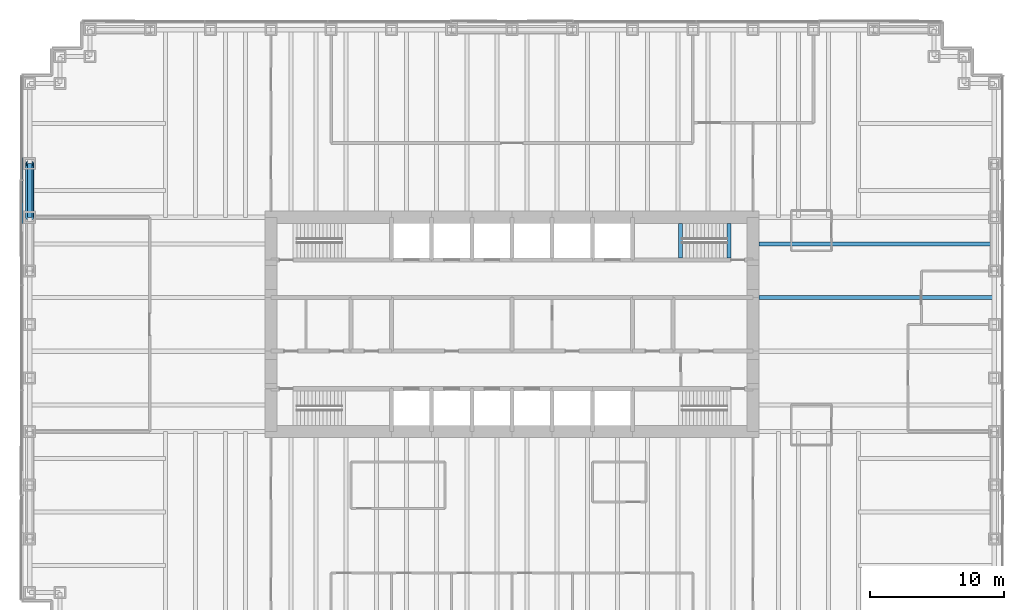
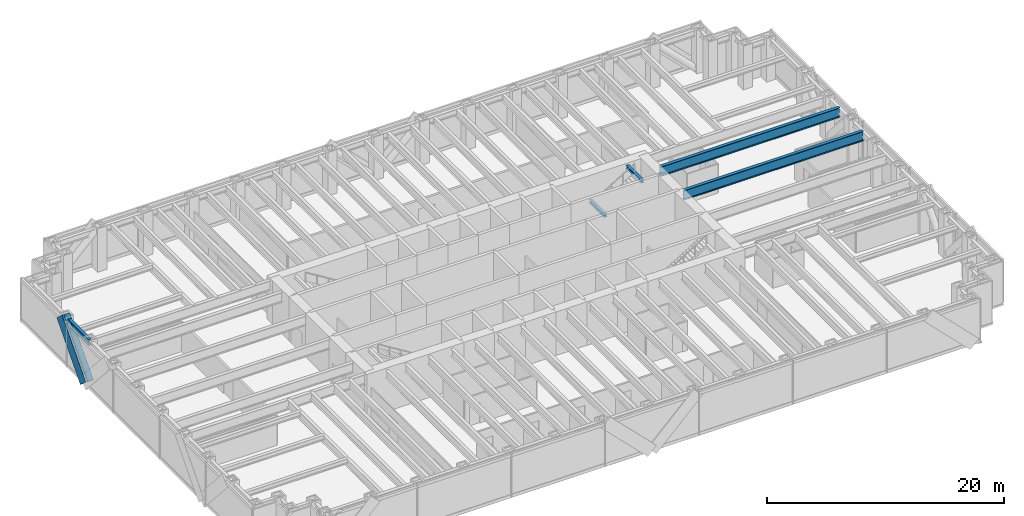
# One storey, part 4 of 13: 5 beams, 2 members, 1 element without a shape of its own.
"""IFC4 building model written with IfcOpenShell, lengths in metres."""

from ifc_helpers import new_model, si_unit, direction, frame, origin, origin_2d, place, context, subcontext, project, spatial, rectangle, hollow_circle, i_section, extrude, material, material_profile, profile_set, type_object, element, aggregate, save


model = new_model("IFC4")

# Units and contexts
model_context = context("Model", 3, precision=1e-05, world=origin(), true_north=direction((0.0, 1.0)))
body_context = subcontext(model_context, "Body", "Model", "MODEL_VIEW")
ifc_project = project(units=[si_unit("LENGTHUNIT", "METRE"), si_unit("AREAUNIT", "SQUARE_METRE"), si_unit("VOLUMEUNIT", "CUBIC_METRE"), si_unit("PLANEANGLEUNIT", "RADIAN"), si_unit("MASSUNIT", "GRAM", prefix="KILO")], contexts=[model_context])

# Site, building, storey
site_placement = place(None, origin())
site = spatial("IfcSite", under=ifc_project, at=site_placement, CompositionType="ELEMENT")
building_placement = place(site_placement, origin())
building = spatial("IfcBuilding", under=site, at=building_placement, Name="Rheinbord Bourse Tower", CompositionType="ELEMENT")
storey_placement = place(building_placement, frame((0.0, 0.0, 32.0)))
storey = spatial("IfcBuildingStorey", under=building, at=storey_placement, Name="L06", CompositionType="ELEMENT", Elevation=32.0)

# Curtain wall, member
ifc_material_1 = material(Name="Dark glass and black aluminium", Category="aluminium")
curtain_wall_type = type_object("IfcCurtainWallType", Name="CW1 DARK GLASS CURTAIN WALL", PredefinedType="USERDEFINED", material=ifc_material_1)
curtain_wall_placement = place(storey_placement, origin())
curtain_wall = element("IfcCurtainWall", 1, at=curtain_wall_placement, inside=storey, type_object=curtain_wall_type, Name="Curtain wall CW1 W L06", ObjectType="UNITISED CURTAIN WALL", PredefinedType="USERDEFINED")
ifc_material_2 = material(Name="Black anodised aluminium", Category="aluminium")
ifc_material_profile_1 = material_profile(ifc_material_2, rectangle(XDim=0.179931640625, YDim=1.2099609375, at=origin_2d()), Name="CW1 DIAGONAL MULLION 1210x180")
ifc_profile_set_1 = profile_set([ifc_material_profile_1], Name="Black anodised aluminium")
member_type_1 = type_object("IfcMemberType", Name="CW1 BLACK DIAGONAL MULLION", PredefinedType="USERDEFINED", material=ifc_profile_set_1)
member_1_placement = place(storey_placement, frame((-0.60009765625, 32.0, 0.0), z_axis=(0.0, 0.66436383883, 0.747409318684), x_axis=(-1.0, 0.0, 0.0)))
member_1 = element("IfcMember", 2, at=member_1_placement, type_object=member_type_1, Name="CW1 diagonal mullion a", ObjectType="DIAGONAL MULLION", PredefinedType="USERDEFINED", context=body_context, shape_type="SweptSolid", body=[
    extrude(rectangle(XDim=0.179931640625, YDim=1.2099609375, at=origin_2d()), origin(), (0.0, 0.0, 1.0), 6.020751953125),
])
aggregate(curtain_wall, [member_1])

# Beams
ifc_material_3 = material(Name="Steel S460", Category="steel")
ifc_material_profile_2 = material_profile(ifc_material_3, i_section(OverallWidth=0.302001953125, OverallDepth=1.008056640625, WebThickness=0.02099609375, FlangeThickness=0.0400390625, at=origin_2d()), Name="HEM 1000")
ifc_profile_set_2 = profile_set([ifc_material_profile_2], Name="Steel S460")
beam_type_1 = type_object("IfcBeamType", Name="END BEAM HEM 1000", PredefinedType="BEAM", material=ifc_profile_set_2)
for number, where, z_axis, x_axis, name in (
    (3, (54.449951171875, 26.0, 3.81591796875), (1.0, 0.0, 0.0), (0.0, 1.0, 0.0), "End beam east 26 L07"),
    (4, (54.449951171875, 30.0, 3.81591796875), (1.0, 0.0, 0.0), (0.0, 1.0, 0.0), "End beam east 30 L07"),
):
    element("IfcBeam", number, at=place(storey_placement, frame(where, z_axis=z_axis, x_axis=x_axis)), inside=storey, type_object=beam_type_1, Name=name, PredefinedType="BEAM", context=body_context, shape_type="SweptSolid", body=[
        extrude(i_section(OverallWidth=0.302001953125, OverallDepth=1.008056640625, WebThickness=0.02099609375, FlangeThickness=0.0400390625, at=origin_2d()), origin(), (0.0, 0.0, 1.0), 17.550048828125),
    ])
ifc_material_4 = material(Name="Steel S460", Category="steel")
ifc_material_profile_3 = material_profile(ifc_material_4, i_section(OverallWidth=0.300048828125, OverallDepth=0.300048828125, WebThickness=0.010986328125, FlangeThickness=0.01904296875, at=origin_2d()), Name="HEB 300")
ifc_profile_set_3 = profile_set([ifc_material_profile_3], Name="Steel S460")
beam_type_2 = type_object("IfcBeamType", Name="LANDING TRIMMER HEB 300", PredefinedType="BEAM", material=ifc_profile_set_3)
for number, where, z_axis, x_axis, name in (
    (5, (48.590087890625, 28.949951171875, 1.89990234375), (0.0, 1.0, 0.0), (-1.0, 0.0, 0.0), "Landing trimmer ST4 L06"),
    (6, (52.199951171875, 28.949951171875, 4.169921875), (0.0, 1.0, 0.0), (-1.0, 0.0, 0.0), "Well trimmer ST4 under L07"),
):
    element("IfcBeam", number, at=place(storey_placement, frame(where, z_axis=z_axis, x_axis=x_axis)), inside=storey, type_object=beam_type_2, Name=name, PredefinedType="BEAM", context=body_context, shape_type="SweptSolid", body=[
        extrude(i_section(OverallWidth=0.300048828125, OverallDepth=0.300048828125, WebThickness=0.010986328125, FlangeThickness=0.01904296875, at=origin_2d()), origin(), (0.0, 0.0, 1.0), 2.60009765625),
    ])

# Member
ifc_material_5 = material(Name="Steel S460", Category="steel")
ifc_material_profile_4 = material_profile(ifc_material_5, hollow_circle(Radius=0.304931640625, WallThickness=0.050048828125, at=origin_2d()), Name="CHS 610x50")
ifc_profile_set_4 = profile_set([ifc_material_profile_4], Name="Steel S460")
member_type_2 = type_object("IfcMemberType", Name="MEGABRACE CHS 610x50", PredefinedType="BRACE", material=ifc_profile_set_4)
member_2_placement = place(storey_placement, frame((0.0, 32.0, 0.0), z_axis=(0.0, 0.66436383883, 0.747409318684), x_axis=(-1.0, 0.0, 0.0)))
element("IfcMember", 7, at=member_2_placement, inside=storey, type_object=member_type_2, Name="Megabrace W face line a L06", PredefinedType="BRACE", context=body_context, shape_type="SweptSolid", body=[
    extrude(hollow_circle(Radius=0.304931640625, WallThickness=0.050048828125, at=origin_2d()), origin(), (0.0, 0.0, 1.0), 6.020751953125),
])

# Beam
ifc_material_6 = material(Name="Steel S460", Category="steel")
ifc_material_profile_5 = material_profile(ifc_material_6, i_section(OverallWidth=0.304931640625, OverallDepth=0.6201171875, WebThickness=0.02099609375, FlangeThickness=0.0400390625, at=origin_2d()), Name="HEM 600")
ifc_profile_set_5 = profile_set([ifc_material_profile_5], Name="Steel S460")
beam_type_3 = type_object("IfcBeamType", Name="SPANDREL HEM 600", PredefinedType="SPANDREL", material=ifc_profile_set_5)
beam_placement = place(storey_placement, frame((0.0, 36.0, 4.010009765625), z_axis=(0.0, -1.0, 0.0), x_axis=(1.0, 0.0, 0.0)))
element("IfcBeam", 8, at=beam_placement, inside=storey, type_object=beam_type_3, Name="Spandrel W-36-W-32 under L07", PredefinedType="SPANDREL", context=body_context, shape_type="SweptSolid", body=[
    extrude(i_section(OverallWidth=0.304931640625, OverallDepth=0.6201171875, WebThickness=0.02099609375, FlangeThickness=0.0400390625, at=origin_2d()), origin(), (0.0, 0.0, 1.0), 4.0),
])

save(model, "model.ifc")
